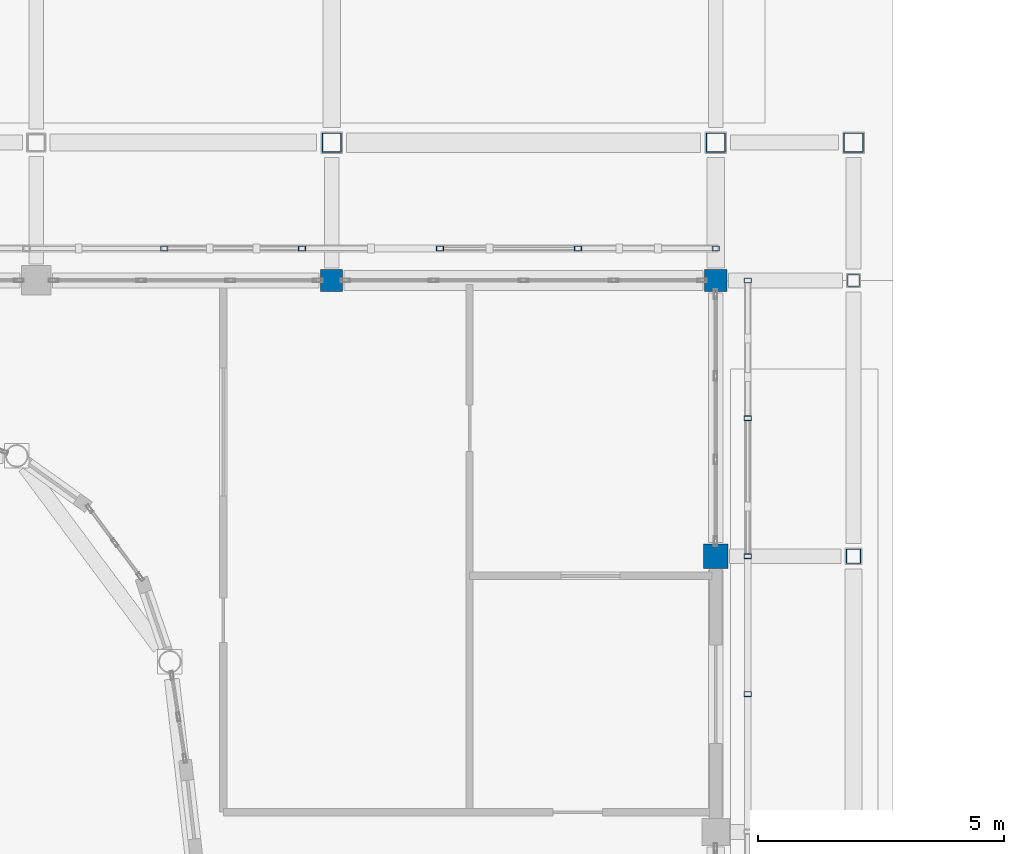
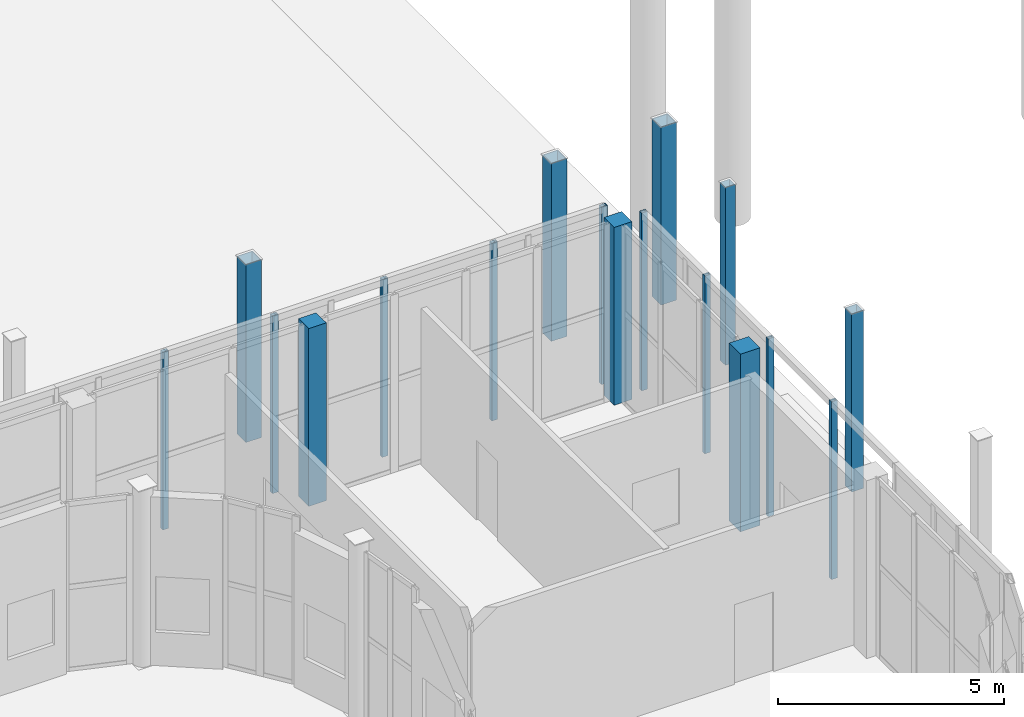
# One storey, part 14 of 91: 17 columns.
"""IFC4 building model written with IfcOpenShell, lengths in metres."""

from ifc_helpers import new_model, si_unit, direction, frame, origin, origin_2d, place, context, subcontext, project, spatial, rectangle, hollow_rectangle, extrude, material, material_profile, profile_set, type_object, element, save


model = new_model("IFC4")

# Units and contexts
model_context = context("Model", 3, precision=1e-05, world=origin(), true_north=direction((0.0, 1.0)))
body_context = subcontext(model_context, "Body", "Model", "MODEL_VIEW")
ifc_project = project(units=[si_unit("LENGTHUNIT", "METRE"), si_unit("AREAUNIT", "SQUARE_METRE"), si_unit("VOLUMEUNIT", "CUBIC_METRE"), si_unit("PLANEANGLEUNIT", "RADIAN"), si_unit("MASSUNIT", "GRAM", prefix="KILO")], contexts=[model_context])

# Site, building, storey
site_placement = place(None, origin())
site = spatial("IfcSite", under=ifc_project, at=site_placement, CompositionType="ELEMENT")
building_placement = place(site_placement, origin())
building = spatial("IfcBuilding", under=site, at=building_placement, Name="Vinh Khe Railworks Police Headquarters", CompositionType="ELEMENT")
storey_placement = place(building_placement, origin())
storey = spatial("IfcBuildingStorey", under=building, at=storey_placement, Name="L00", CompositionType="ELEMENT", Elevation=0.0)

# Columns
ifc_material_1 = material(Name="Steel S355JR", Category="steel")
ifc_material_profile_1 = material_profile(ifc_material_1, hollow_rectangle(XDim=0.14990234375, YDim=0.10009765625, WallThickness=0.008056640625, at=origin_2d()), Name="RHS 150x100x8")
ifc_profile_set_1 = profile_set([ifc_material_profile_1], Name="Steel S355JR")
column_type_1 = type_object("IfcColumnType", Name="COL-QUILT-POST", PredefinedType="COLUMN", material=ifc_profile_set_1)
for number, where, z_axis, x_axis, name in (
    (1, (48.800048828125, 59.449951171875, 0.0), (0.0, 0.0, 1.0), (1.0, 0.0, 0.0), "Patchwork Quilt Carrier Column N-9 (L00)"),
    (2, (51.60009765625, 59.449951171875, 0.0), (0.0, 0.0, 1.0), (1.0, 0.0, 0.0), "Patchwork Quilt Carrier Column N-10 (L00)"),
    (3, (54.39990234375, 59.449951171875, 0.0), (0.0, 0.0, 1.0), (1.0, 0.0, 0.0), "Patchwork Quilt Carrier Column N-11 (L00)"),
    (4, (57.199951171875, 59.449951171875, 0.0), (0.0, 0.0, 1.0), (1.0, 0.0, 0.0), "Patchwork Quilt Carrier Column N-12 (L00)"),
    (5, (60.0, 59.449951171875, 0.0), (0.0, 0.0, 1.0), (1.0, 0.0, 0.0), "Patchwork Quilt Carrier Column N-13 (L00)"),
    (6, (60.64990234375, 50.39990234375, 0.0), (0.0, 0.0, 1.0), (1.0, 0.0, 0.0), "Patchwork Quilt Carrier Column E-10 (L00)"),
    (7, (60.64990234375, 53.199951171875, 0.0), (0.0, 0.0, 1.0), (1.0, 0.0, 0.0), "Patchwork Quilt Carrier Column E-11 (L00)"),
    (8, (60.64990234375, 56.0, 0.0), (0.0, 0.0, 1.0), (1.0, 0.0, 0.0), "Patchwork Quilt Carrier Column E-12 (L00)"),
    (9, (60.64990234375, 58.800048828125, 0.0), (0.0, 0.0, 1.0), (1.0, 0.0, 0.0), "Patchwork Quilt Carrier Column E-13 (L00)"),
):
    element("IfcColumn", number, at=place(storey_placement, frame(where, z_axis=z_axis, x_axis=x_axis)), inside=storey, type_object=column_type_1, Name=name, PredefinedType="COLUMN", context=body_context, shape_type="SweptSolid", body=[
        extrude(hollow_rectangle(XDim=0.14990234375, YDim=0.10009765625, WallThickness=0.008056640625, at=origin_2d()), origin(), (0.0, 0.0, 1.0), 4.800048828125),
    ])
ifc_material_2 = material(Name="Concrete C40/50 (B40)", Category="concrete")
ifc_material_profile_2 = material_profile(ifc_material_2, rectangle(XDim=0.449951171875, YDim=0.449951171875, at=origin_2d()), Name="RC 450x450")
ifc_profile_set_2 = profile_set([ifc_material_profile_2], Name="Concrete C40/50 (B40)")
column_type_2 = type_object("IfcColumnType", Name="RC Column RC 450x450", PredefinedType="COLUMN", material=ifc_profile_set_2)
for number, where, z_axis, x_axis, name in (
    (10, (52.199951171875, 58.800048828125, 0.0), (0.0, 0.0, 1.0), (1.0, 0.0, 0.0), "Column COL-L00-CC-08-0974"),
    (11, (60.0, 58.800048828125, 0.0), (0.0, 0.0, 1.0), (1.0, 0.0, 0.0), "Column COL-L00-CC-08-1038"),
):
    element("IfcColumn", number, at=place(storey_placement, frame(where, z_axis=z_axis, x_axis=x_axis)), inside=storey, type_object=column_type_2, Name=name, PredefinedType="COLUMN", context=body_context, shape_type="SweptSolid", body=[
        extrude(rectangle(XDim=0.449951171875, YDim=0.449951171875, at=origin_2d()), origin(), (0.0, 0.0, 1.0), 4.800048828125),
    ])
ifc_material_profile_3 = material_profile(ifc_material_2, rectangle(XDim=0.5, YDim=0.5, at=origin_2d()), Name="RC 500x500")
ifc_profile_set_3 = profile_set([ifc_material_profile_3], Name="Concrete C40/50 (B40)")
column_type_3 = type_object("IfcColumnType", Name="RC Column RC 500x500", PredefinedType="COLUMN", material=ifc_profile_set_3)
column_1_placement = place(storey_placement, frame((60.0, 53.199951171875, 0.0), z_axis=(0.0, 0.0, 1.0), x_axis=(1.0, 0.0, 0.0)))
element("IfcColumn", 12, at=column_1_placement, inside=storey, type_object=column_type_3, Name="Column COL-L00-CC-07-1033", PredefinedType="COLUMN", context=body_context, shape_type="SweptSolid", body=[
    extrude(rectangle(XDim=0.5, YDim=0.5, at=origin_2d()), origin(), (0.0, 0.0, 1.0), 4.800048828125),
])
ifc_material_profile_4 = material_profile(ifc_material_1, hollow_rectangle(XDim=0.25, YDim=0.25, WallThickness=0.012451171875, at=origin_2d()), Name="SHS 250x250x12.5")
ifc_profile_set_4 = profile_set([ifc_material_profile_4], Name="Steel S355JR")
column_type_4 = type_object("IfcColumnType", Name="Steel Column SHS 250x250x12.5", PredefinedType="COLUMN", material=ifc_profile_set_4)
column_2_placement = place(storey_placement, frame((62.800048828125, 58.800048828125, 0.0), z_axis=(0.0, 0.0, 1.0), x_axis=(1.0, 0.0, 0.0)))
element("IfcColumn", 13, at=column_2_placement, inside=storey, type_object=column_type_4, Name="Column COL-L00-SC-24-1102", PredefinedType="COLUMN", context=body_context, shape_type="SweptSolid", body=[
    extrude(hollow_rectangle(XDim=0.25, YDim=0.25, WallThickness=0.012451171875, at=origin_2d()), origin(), (0.0, 0.0, 1.0), 4.800048828125),
])
ifc_material_profile_5 = material_profile(ifc_material_1, hollow_rectangle(XDim=0.300048828125, YDim=0.300048828125, WallThickness=0.01611328125, at=origin_2d()), Name="SHS 300x300x16")
ifc_profile_set_5 = profile_set([ifc_material_profile_5], Name="Steel S355JR")
column_type_5 = type_object("IfcColumnType", Name="Steel Column SHS 300x300x16", PredefinedType="COLUMN", material=ifc_profile_set_5)
column_3_placement = place(storey_placement, frame((62.800048828125, 53.199951171875, 0.0), z_axis=(0.0, 0.0, 1.0), x_axis=(1.0, 0.0, 0.0)))
element("IfcColumn", 14, at=column_3_placement, inside=storey, type_object=column_type_5, Name="Column COL-L00-SC-23-1097", PredefinedType="COLUMN", context=body_context, shape_type="SweptSolid", body=[
    extrude(hollow_rectangle(XDim=0.300048828125, YDim=0.300048828125, WallThickness=0.01611328125, at=origin_2d()), origin(), (0.0, 0.0, 1.0), 4.800048828125),
])
ifc_material_profile_6 = material_profile(ifc_material_1, hollow_rectangle(XDim=0.39990234375, YDim=0.39990234375, WallThickness=0.02001953125, at=origin_2d()), Name="SHS 400x400x20")
ifc_profile_set_6 = profile_set([ifc_material_profile_6], Name="Steel S355JR")
column_type_6 = type_object("IfcColumnType", Name="Steel Column SHS 400x400x20", PredefinedType="COLUMN", material=ifc_profile_set_6)
for number, where, z_axis, x_axis, name in (
    (15, (52.199951171875, 61.60009765625, 0.0), (0.0, 0.0, 1.0), (1.0, 0.0, 0.0), "Column COL-L00-SC-21-0979"),
    (16, (60.0, 61.60009765625, 0.0), (0.0, 0.0, 1.0), (1.0, 0.0, 0.0), "Column COL-L00-SC-21-1043"),
    (17, (62.800048828125, 61.60009765625, 0.0), (0.0, 0.0, 1.0), (1.0, 0.0, 0.0), "Column COL-L00-SC-21-1107"),
):
    element("IfcColumn", number, at=place(storey_placement, frame(where, z_axis=z_axis, x_axis=x_axis)), inside=storey, type_object=column_type_6, Name=name, PredefinedType="COLUMN", context=body_context, shape_type="SweptSolid", body=[
        extrude(hollow_rectangle(XDim=0.39990234375, YDim=0.39990234375, WallThickness=0.02001953125, at=origin_2d()), origin(), (0.0, 0.0, 1.0), 4.800048828125),
    ])

save(model, "model.ifc")
